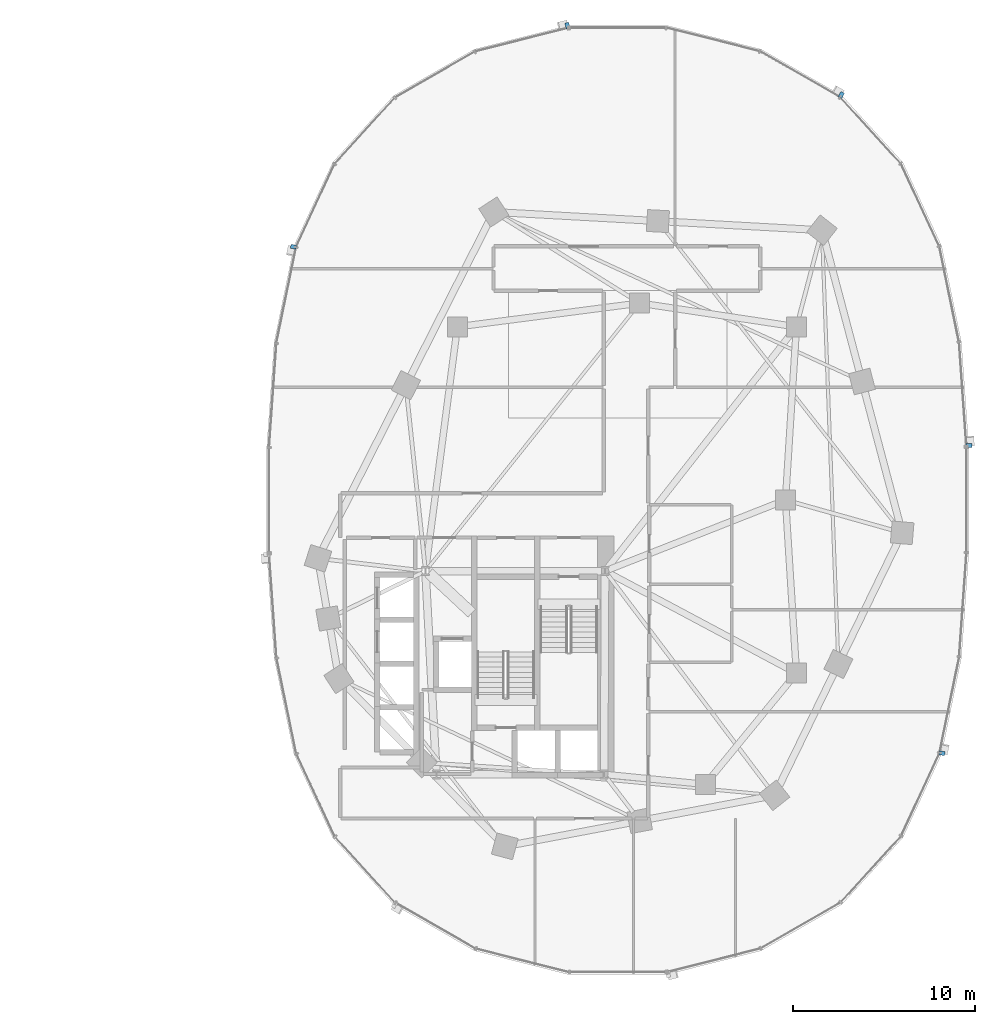
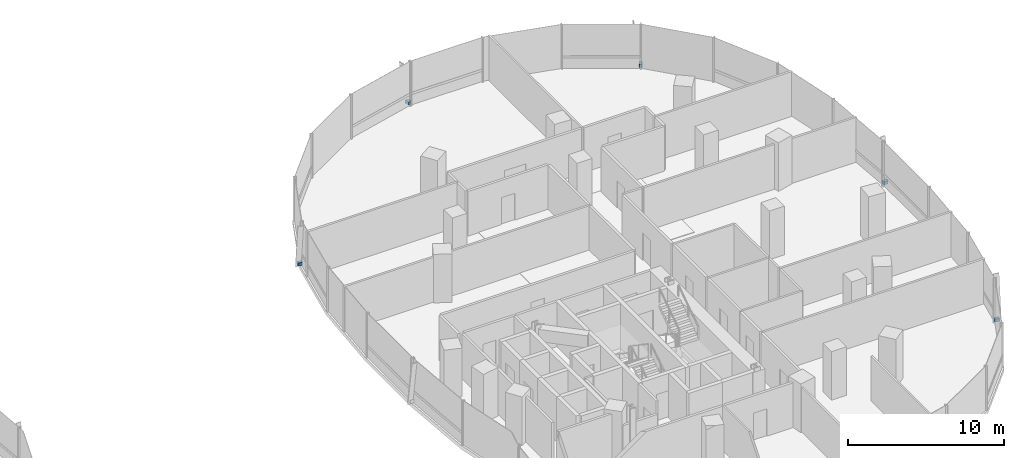
# One storey, part 17 of 22: 5 discrete accessories.
"""IFC4 building model written with IfcOpenShell, lengths in metres."""

from ifc_helpers import new_model, si_unit, direction, frame, origin, origin_2d, place, context, subcontext, project, spatial, rectangle, extrude, material, type_object, element, save


model = new_model("IFC4")

# Units and contexts
model_context = context("Model", 3, precision=1e-05, world=origin(), true_north=direction((0.0, 1.0)))
body_context = subcontext(model_context, "Body", "Model", "MODEL_VIEW")
ifc_project = project(units=[si_unit("LENGTHUNIT", "METRE"), si_unit("AREAUNIT", "SQUARE_METRE"), si_unit("VOLUMEUNIT", "CUBIC_METRE"), si_unit("PLANEANGLEUNIT", "RADIAN"), si_unit("MASSUNIT", "GRAM", prefix="KILO"), si_unit("THERMODYNAMICTEMPERATUREUNIT", "KELVIN"), si_unit("POWERUNIT", "WATT")], contexts=[model_context])

# Site, building, storey
site_placement = place(None, origin())
site = spatial("IfcSite", under=ifc_project, at=site_placement, CompositionType="ELEMENT")
building_placement = place(site_placement, origin())
building = spatial("IfcBuilding", under=site, at=building_placement, Name="Cundina Bronze Exchange", CompositionType="ELEMENT")
storey_placement = place(building_placement, frame((0.0, 0.0, 35.39990234375)))
storey = spatial("IfcBuildingStorey", under=building, at=storey_placement, Name="L08", CompositionType="ELEMENT", Elevation=35.39990234375)

# Discrete accessories
ifc_material = material(Name="Anodised Bronze Aluminium 6063-T6", Category="aluminium")
discrete_accessory_type = type_object("IfcDiscreteAccessoryType", Name="ACC-BRK-FIN", PredefinedType="BRACKET", material=ifc_material)
for number, where, z_axis, x_axis, name in (
    (1, (51.264404296875, 2.986083984375, 0.10009765625), (0.0, 0.0, 1.0), (-0.070278787473, 0.997527389113, 0.0), "L08 Fin Support Bracket 1"),
    (2, (44.259521484375, 22.21875, 0.10009765625), (0.0, 0.0, 1.0), (-0.867105478933, 0.498124571171, 0.0), "L08 Fin Support Bracket 5"),
    (3, (29.23974609375, 26.03173828125, 0.10009765625), (0.0, 0.0, 1.0), (-0.969488149345, -0.245138182011, 0.0), "L08 Fin Support Bracket 1"),
    (4, (14.211669921875, 13.8896484375, 0.10009765625), (0.0, 0.0, 1.0), (-0.201419845156, -0.979505000486, 0.0), "L08 Fin Support Bracket 5"),
    (5, (49.788330078125, -13.8896484375, 0.10009765625), (0.0, 0.0, 1.0), (0.201419845156, 0.979505000486, 0.0), "L08 Fin Support Bracket 5"),
):
    element("IfcDiscreteAccessory", number, at=place(storey_placement, frame(where, z_axis=z_axis, x_axis=x_axis)), inside=storey, type_object=discrete_accessory_type, Name=name, PredefinedType="BRACKET", context=body_context, shape_type="SweptSolid", body=[
        extrude(rectangle(XDim=0.219970703125, YDim=0.320068359375, at=origin_2d()), origin(), (0.0, 0.0, 1.0), 0.239990234375),
    ])

save(model, "model.ifc")
